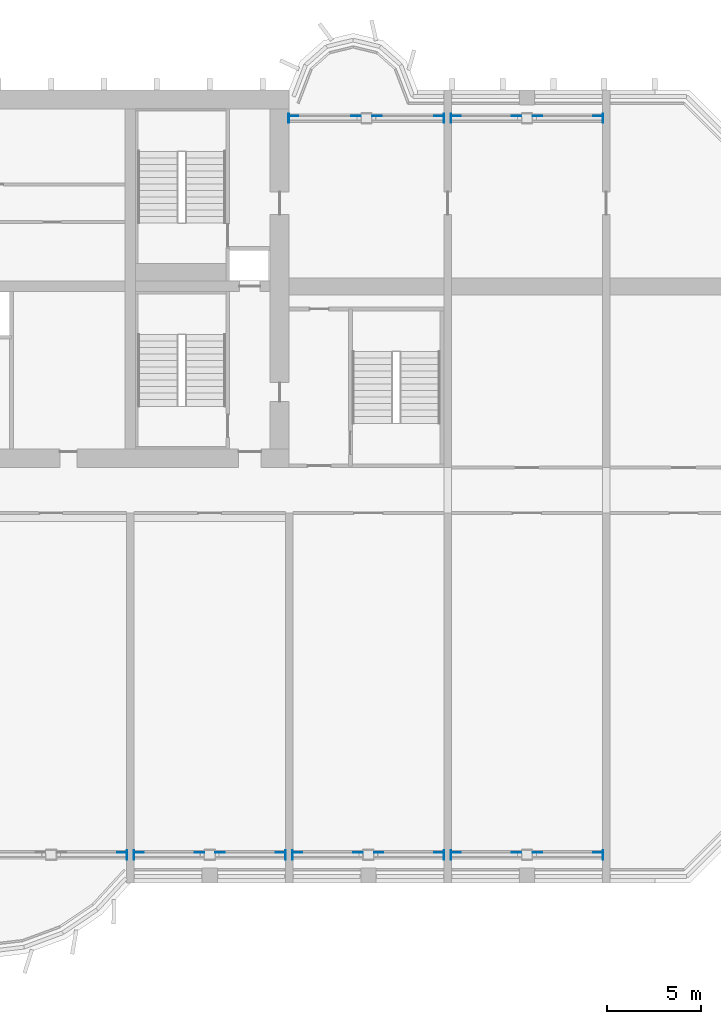
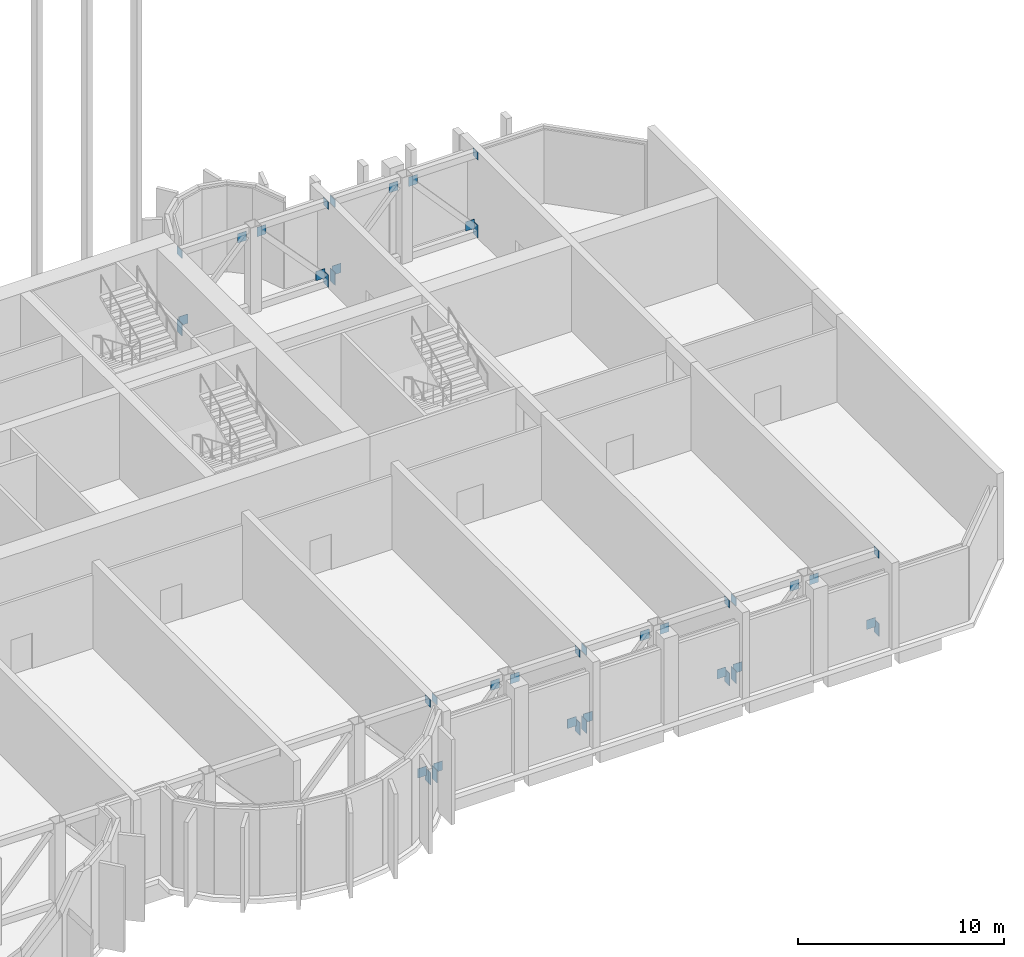
# One storey, part 13 of 17: 43 discrete accessories.
"""IFC4 building model written with IfcOpenShell, lengths in metres."""

from ifc_helpers import new_model, si_unit, direction, frame, origin, origin_2d, place, context, subcontext, project, spatial, rectangle, extrude, source, transform, mapped, material, layer, layer_set, type_object, element, save


model = new_model("IFC4")

# Units and contexts
model_context = context("Model", 3, precision=1e-05, world=origin(), true_north=direction((0.0, 1.0)))
body_context = subcontext(model_context, "Body", "Model", "MODEL_VIEW")
ifc_project = project(units=[si_unit("LENGTHUNIT", "METRE"), si_unit("AREAUNIT", "SQUARE_METRE"), si_unit("VOLUMEUNIT", "CUBIC_METRE"), si_unit("PLANEANGLEUNIT", "RADIAN"), si_unit("MASSUNIT", "GRAM", prefix="KILO")], contexts=[model_context])

# Site, building, storey
site_placement = place(None, origin())
site = spatial("IfcSite", under=ifc_project, at=site_placement, CompositionType="ELEMENT")
building_placement = place(site_placement, origin())
building = spatial("IfcBuilding", under=site, at=building_placement, Name="Vanashikhar Sky Hotel", CompositionType="ELEMENT")
storey_placement = place(building_placement, frame((0.0, 0.0, 81.0)))
storey = spatial("IfcBuildingStorey", under=building, at=storey_placement, Name="L19", CompositionType="ELEMENT", Elevation=81.0)

# Discrete accessories
ifc_material = material(Name="Steel S355", Category="steel")
ifc_layer_1 = layer(ifc_material, 0.030029296875)
ifc_layer_set_1 = layer_set([ifc_layer_1], Name="Cast-in anchor plate 500x750x30")
discrete_accessory_type_1 = type_object("IfcDiscreteAccessoryType", Name="Cast-in anchor plate 500x750x30", PredefinedType="ANCHORPLATE", material=ifc_layer_set_1)
shared_shape_1 = source(origin(), body_context, "Body", "SweptSolid", [
    extrude(rectangle(XDim=0.030029296875, YDim=0.5, at=origin_2d()), origin(), (0.0, 0.0, 1.0), 0.75),
])
for number, where, z_axis, x_axis, name in (
    (1, (67.014892578125, 1.5, 0.02490234375), (0.0, 0.0, 1.0), (1.0, 0.0, 0.0), "EP-L19-F07BB"),
    (2, (67.385009765625, 1.5, 0.02490234375), (0.0, 0.0, 1.0), (1.0, 0.0, 0.0), "EP-L19-F08AB"),
    (3, (75.4150390625, 1.5, 0.02490234375), (0.0, 0.0, 1.0), (1.0, 0.0, 0.0), "EP-L19-F08BB"),
    (4, (75.784912109375, 1.5, 0.02490234375), (0.0, 0.0, 1.0), (1.0, 0.0, 0.0), "EP-L19-F09AB"),
    (5, (83.81494140625, 1.5, 0.02490234375), (0.0, 0.0, 1.0), (1.0, 0.0, 0.0), "EP-L19-F09BB"),
    (6, (84.18505859375, 1.5, 0.02490234375), (0.0, 0.0, 1.0), (1.0, 0.0, 0.0), "EP-L19-F10AB"),
    (7, (92.215087890625, 1.5, 0.02490234375), (0.0, 0.0, 1.0), (1.0, 0.0, 0.0), "EP-L19-F10BB"),
    (8, (84.18505859375, 40.5, 0.02490234375), (0.0, 0.0, 1.0), (1.0, 0.0, 0.0), "EP-L19-R13AB"),
    (9, (92.215087890625, 40.5, 0.02490234375), (0.0, 0.0, 1.0), (1.0, 0.0, 0.0), "EP-L19-R13BB"),
    (10, (75.5849609375, 40.5, 0.02490234375), (0.0, 0.0, 1.0), (1.0, 0.0, 0.0), "EP-L19-R14AB"),
    (11, (83.81494140625, 40.5, 0.02490234375), (0.0, 0.0, 1.0), (1.0, 0.0, 0.0), "EP-L19-R14BB"),
):
    element("IfcDiscreteAccessory", number, at=place(storey_placement, frame(where, z_axis=z_axis, x_axis=x_axis)), inside=storey, type_object=discrete_accessory_type_1, Name=name, PredefinedType="ANCHORPLATE", context=body_context, shape_type="MappedRepresentation", body=[
        mapped(shared_shape_1, transform((0.0, 0.0, 0.0), scale=1.0)),
    ])
ifc_layer_2 = layer(ifc_material, 0.030029296875)
ifc_layer_set_2 = layer_set([ifc_layer_2], Name="Cast-in anchor plate 500x450x30")
discrete_accessory_type_2 = type_object("IfcDiscreteAccessoryType", Name="Cast-in anchor plate 500x450x30", PredefinedType="ANCHORPLATE", material=ifc_layer_set_2)
shared_shape_2 = source(origin(), body_context, "Body", "SweptSolid", [
    extrude(rectangle(XDim=0.030029296875, YDim=0.5, at=origin_2d()), origin(), (0.0, 0.0, 1.0), 0.449951171875),
])
for number, where, z_axis, x_axis, name in (
    (12, (67.014892578125, 1.5, 4.64501953125), (0.0, 0.0, 1.0), (1.0, 0.0, 0.0), "EP-L19-F07BT"),
    (13, (67.385009765625, 1.5, 4.64501953125), (0.0, 0.0, 1.0), (1.0, 0.0, 0.0), "EP-L19-F08AT"),
    (14, (75.4150390625, 1.5, 4.64501953125), (0.0, 0.0, 1.0), (1.0, 0.0, 0.0), "EP-L19-F08BT"),
    (15, (75.784912109375, 1.5, 4.64501953125), (0.0, 0.0, 1.0), (1.0, 0.0, 0.0), "EP-L19-F09AT"),
    (16, (83.81494140625, 1.5, 4.64501953125), (0.0, 0.0, 1.0), (1.0, 0.0, 0.0), "EP-L19-F09BT"),
    (17, (84.18505859375, 1.5, 4.64501953125), (0.0, 0.0, 1.0), (1.0, 0.0, 0.0), "EP-L19-F10AT"),
    (18, (92.215087890625, 1.5, 4.64501953125), (0.0, 0.0, 1.0), (1.0, 0.0, 0.0), "EP-L19-F10BT"),
    (19, (84.18505859375, 40.5, 4.64501953125), (0.0, 0.0, 1.0), (1.0, 0.0, 0.0), "EP-L19-R13AT"),
    (20, (92.215087890625, 40.5, 4.64501953125), (0.0, 0.0, 1.0), (1.0, 0.0, 0.0), "EP-L19-R13BT"),
    (21, (75.5849609375, 40.5, 4.64501953125), (0.0, 0.0, 1.0), (1.0, 0.0, 0.0), "EP-L19-R14AT"),
    (22, (83.81494140625, 40.5, 4.64501953125), (0.0, 0.0, 1.0), (1.0, 0.0, 0.0), "EP-L19-R14BT"),
):
    element("IfcDiscreteAccessory", number, at=place(storey_placement, frame(where, z_axis=z_axis, x_axis=x_axis)), inside=storey, type_object=discrete_accessory_type_2, Name=name, PredefinedType="ANCHORPLATE", context=body_context, shape_type="MappedRepresentation", body=[
        mapped(shared_shape_2, transform((0.0, 0.0, 0.0), scale=1.0)),
    ])
ifc_layer_3 = layer(ifc_material, 0.02490234375)
ifc_layer_set_3 = layer_set([ifc_layer_3], Name="Truss gusset plate 500x550x25")
discrete_accessory_type_3 = type_object("IfcDiscreteAccessoryType", Name="Truss gusset plate 500x550x25", PredefinedType="BRACKET", material=ifc_layer_set_3)
shared_shape_3 = source(origin(), body_context, "Body", "SweptSolid", [
    extrude(rectangle(XDim=0.5, YDim=0.02490234375, at=origin_2d()), origin(), (0.0, 0.0, 1.0), 0.550048828125),
])
for number, where, z_axis, x_axis, name in (
    (23, (66.75, 1.612548828125, 0.39990234375), (0.0, 0.0, 1.0), (1.0, 0.0, 0.0), "GS-L19-F07RA"),
    (24, (67.64990234375, 1.612548828125, 0.39990234375), (0.0, 0.0, 1.0), (1.0, 0.0, 0.0), "GS-L19-F08LA"),
    (25, (70.85009765625, 1.612548828125, 4.169921875), (0.0, 0.0, 1.0), (1.0, 0.0, 0.0), "GS-L19-F08LB"),
    (26, (75.14990234375, 1.612548828125, 0.39990234375), (0.0, 0.0, 1.0), (1.0, 0.0, 0.0), "GS-L19-F08RA"),
    (27, (71.949951171875, 1.612548828125, 4.169921875), (0.0, 0.0, 1.0), (1.0, 0.0, 0.0), "GS-L19-F08RB"),
    (28, (76.050048828125, 1.612548828125, 0.39990234375), (0.0, 0.0, 1.0), (1.0, 0.0, 0.0), "GS-L19-F09LA"),
    (29, (79.25, 1.612548828125, 4.169921875), (0.0, 0.0, 1.0), (1.0, 0.0, 0.0), "GS-L19-F09LB"),
    (30, (83.550048828125, 1.612548828125, 0.39990234375), (0.0, 0.0, 1.0), (1.0, 0.0, 0.0), "GS-L19-F09RA"),
    (31, (80.35009765625, 1.612548828125, 4.169921875), (0.0, 0.0, 1.0), (1.0, 0.0, 0.0), "GS-L19-F09RB"),
    (32, (84.449951171875, 1.612548828125, 0.39990234375), (0.0, 0.0, 1.0), (1.0, 0.0, 0.0), "GS-L19-F10LA"),
    (33, (87.64990234375, 1.612548828125, 4.169921875), (0.0, 0.0, 1.0), (1.0, 0.0, 0.0), "GS-L19-F10LB"),
    (34, (91.949951171875, 1.612548828125, 0.39990234375), (0.0, 0.0, 1.0), (1.0, 0.0, 0.0), "GS-L19-F10RA"),
    (35, (88.75, 1.612548828125, 4.169921875), (0.0, 0.0, 1.0), (1.0, 0.0, 0.0), "GS-L19-F10RB"),
    (36, (84.449951171875, 40.612548828125, 0.39990234375), (0.0, 0.0, 1.0), (1.0, 0.0, 0.0), "GS-L19-R13LA"),
    (37, (87.64990234375, 40.612548828125, 4.169921875), (0.0, 0.0, 1.0), (1.0, 0.0, 0.0), "GS-L19-R13LB"),
    (38, (91.949951171875, 40.612548828125, 0.39990234375), (0.0, 0.0, 1.0), (1.0, 0.0, 0.0), "GS-L19-R13RA"),
    (39, (88.75, 40.612548828125, 4.169921875), (0.0, 0.0, 1.0), (1.0, 0.0, 0.0), "GS-L19-R13RB"),
    (40, (75.85009765625, 40.612548828125, 0.39990234375), (0.0, 0.0, 1.0), (1.0, 0.0, 0.0), "GS-L19-R14LA"),
    (41, (79.14990234375, 40.612548828125, 4.169921875), (0.0, 0.0, 1.0), (1.0, 0.0, 0.0), "GS-L19-R14LB"),
    (42, (83.550048828125, 40.612548828125, 0.39990234375), (0.0, 0.0, 1.0), (1.0, 0.0, 0.0), "GS-L19-R14RA"),
    (43, (80.25, 40.612548828125, 4.169921875), (0.0, 0.0, 1.0), (1.0, 0.0, 0.0), "GS-L19-R14RB"),
):
    element("IfcDiscreteAccessory", number, at=place(storey_placement, frame(where, z_axis=z_axis, x_axis=x_axis)), inside=storey, type_object=discrete_accessory_type_3, Name=name, PredefinedType="BRACKET", context=body_context, shape_type="MappedRepresentation", body=[
        mapped(shared_shape_3, transform((0.0, 0.0, 0.0), scale=1.0)),
    ])

save(model, "model.ifc")
